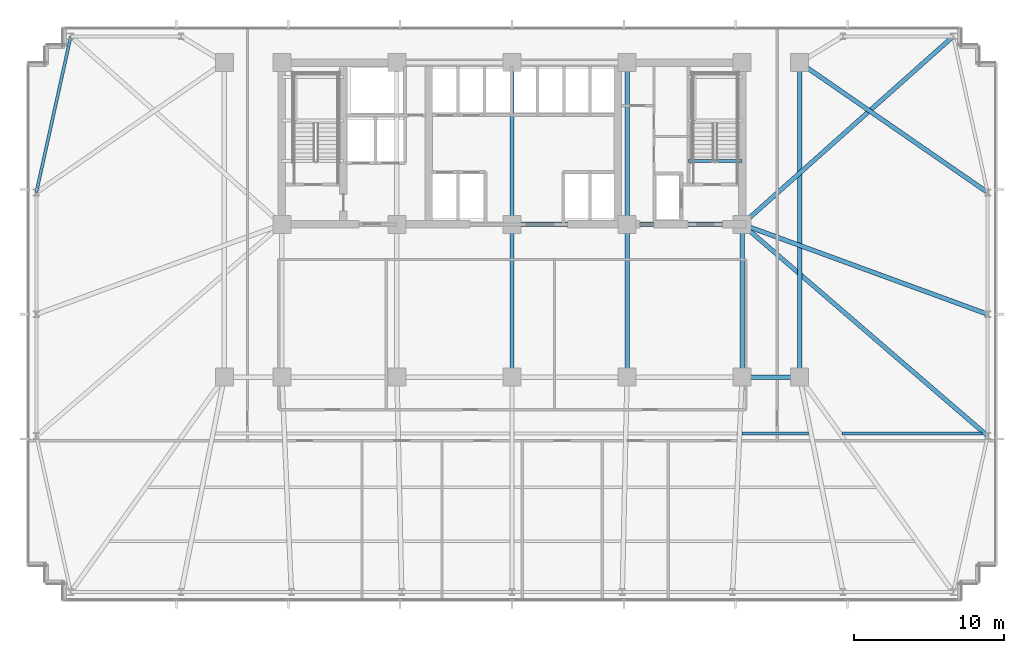
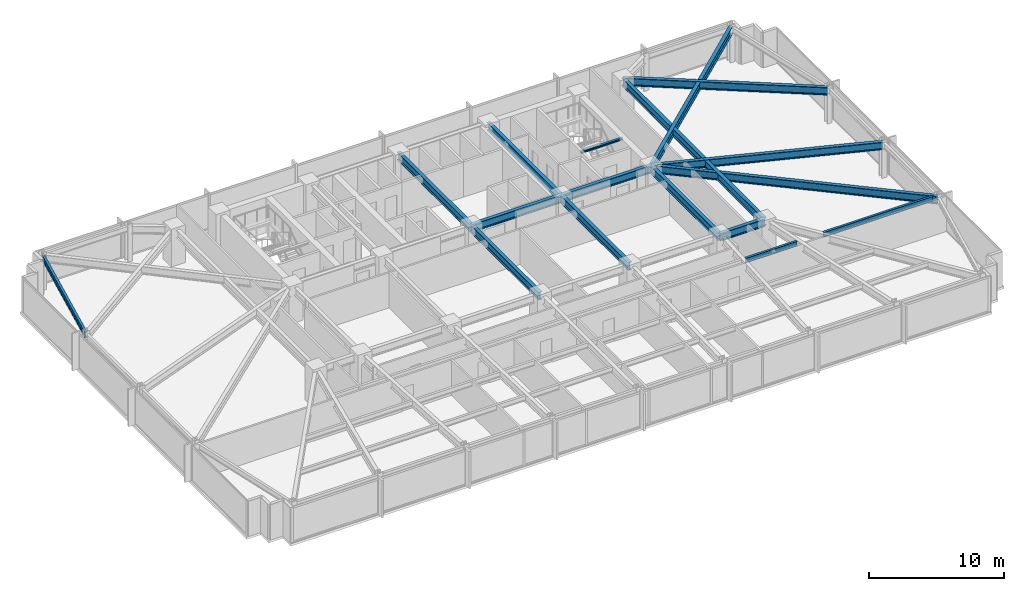
# One storey, part 16 of 32: 17 beams.
"""IFC4 building model written with IfcOpenShell, lengths in metres."""

from ifc_helpers import new_model, si_unit, direction, frame, origin, origin_2d, place, context, subcontext, project, spatial, i_section, extrude, material, material_profile, profile_set, type_object, element, save


model = new_model("IFC4")

# Units and contexts
model_context = context("Model", 3, precision=1e-05, world=origin(), true_north=direction((0.0, 1.0)))
body_context = subcontext(model_context, "Body", "Model", "MODEL_VIEW")
ifc_project = project(units=[si_unit("LENGTHUNIT", "METRE"), si_unit("AREAUNIT", "SQUARE_METRE"), si_unit("VOLUMEUNIT", "CUBIC_METRE"), si_unit("PLANEANGLEUNIT", "RADIAN"), si_unit("MASSUNIT", "GRAM", prefix="KILO")], contexts=[model_context])

# Site, building, storey
site_placement = place(None, origin())
site = spatial("IfcSite", under=ifc_project, at=site_placement, CompositionType="ELEMENT")
building_placement = place(site_placement, origin())
building = spatial("IfcBuilding", under=site, at=building_placement, Name="Yelkora Congress Tower", CompositionType="ELEMENT")
storey_placement = place(building_placement, frame((0.0, 0.0, 44.0)))
storey = spatial("IfcBuildingStorey", under=building, at=storey_placement, Name="L10", CompositionType="ELEMENT", Elevation=44.0)

# Beams
ifc_material = material(Name="Steel S355J2", Category="steel")
ifc_material_profile_1 = material_profile(ifc_material, i_section(OverallWidth=0.300048828125, OverallDepth=0.699951171875, WebThickness=0.01708984375, FlangeThickness=0.031982421875, FilletRadius=0.027099609375, at=origin_2d()), Name="HEB 700")
ifc_profile_set_1 = profile_set([ifc_material_profile_1], Name="Steel S355J2")
beam_type_1 = type_object("IfcBeamType", Name="BM-GIRD-HEB700", PredefinedType="BEAM", material=ifc_profile_set_1)
beam_1_placement = place(storey_placement, frame((53.760009765625, 25.199951171875, 2.830078125), z_axis=(1.0, 0.0, 0.0), x_axis=(0.0, 1.0, 0.0)))
element("IfcBeam", 1, at=beam_1_placement, inside=storey, type_object=beam_type_1, Name="L10 Spine Grid D Girder 6", PredefinedType="BEAM", context=body_context, shape_type="SweptSolid", body=[
    extrude(i_section(OverallWidth=0.300048828125, OverallDepth=0.699951171875, WebThickness=0.01708984375, FlangeThickness=0.031982421875, FilletRadius=0.027099609375, at=origin_2d()), origin(), (0.0, 0.0, 1.0), 3.840087890625),
])
beam_2_placement = place(storey_placement, frame((38.39990234375, 35.39990234375, 2.830078125), z_axis=(1.0, 0.0, 0.0), x_axis=(0.0, 1.0, 0.0)))
element("IfcBeam", 2, at=beam_2_placement, inside=storey, type_object=beam_type_1, Name="L10 Core South Girder 3", PredefinedType="BEAM", context=body_context, shape_type="SweptSolid", body=[
    extrude(i_section(OverallWidth=0.300048828125, OverallDepth=0.699951171875, WebThickness=0.01708984375, FlangeThickness=0.031982421875, FilletRadius=0.027099609375, at=origin_2d()), origin(), (0.0, 0.0, 1.0), 7.68017578125),
])
beam_3_placement = place(storey_placement, frame((46.080078125, 35.39990234375, 2.830078125), z_axis=(1.0, 0.0, 0.0), x_axis=(0.0, 1.0, 0.0)))
element("IfcBeam", 3, at=beam_3_placement, inside=storey, type_object=beam_type_1, Name="L10 Core South Girder 4", PredefinedType="BEAM", context=body_context, shape_type="SweptSolid", body=[
    extrude(i_section(OverallWidth=0.300048828125, OverallDepth=0.699951171875, WebThickness=0.01708984375, FlangeThickness=0.031982421875, FilletRadius=0.027099609375, at=origin_2d()), origin(), (0.0, 0.0, 1.0), 7.679931640625),
])
beam_4_placement = place(storey_placement, frame((38.39990234375, 25.199951171875, 2.830078125), z_axis=(0.0, 1.0, 0.0), x_axis=(-1.0, 0.0, 0.0)))
element("IfcBeam", 4, at=beam_4_placement, inside=storey, type_object=beam_type_1, Name="L10 Core Tie Girder MC-D3", PredefinedType="BEAM", context=body_context, shape_type="SweptSolid", body=[
    extrude(i_section(OverallWidth=0.300048828125, OverallDepth=0.699951171875, WebThickness=0.01708984375, FlangeThickness=0.031982421875, FilletRadius=0.027099609375, at=origin_2d()), origin(), (0.0, 0.0, 1.0), 10.199951171875),
])
beam_5_placement = place(storey_placement, frame((38.39990234375, 35.39990234375, 2.830078125), z_axis=(0.0, 1.0, 0.0), x_axis=(-1.0, 0.0, 0.0)))
element("IfcBeam", 5, at=beam_5_placement, inside=storey, type_object=beam_type_1, Name="L10 Core Tie Girder MC-S3", PredefinedType="BEAM", context=body_context, shape_type="SweptSolid", body=[
    extrude(i_section(OverallWidth=0.300048828125, OverallDepth=0.699951171875, WebThickness=0.01708984375, FlangeThickness=0.031982421875, FilletRadius=0.027099609375, at=origin_2d()), origin(), (0.0, 0.0, 1.0), 10.800048828125),
])
beam_6_placement = place(storey_placement, frame((46.080078125, 25.199951171875, 2.830078125), z_axis=(0.0, 1.0, 0.0), x_axis=(-1.0, 0.0, 0.0)))
element("IfcBeam", 6, at=beam_6_placement, inside=storey, type_object=beam_type_1, Name="L10 Core Tie Girder MC-D4", PredefinedType="BEAM", context=body_context, shape_type="SweptSolid", body=[
    extrude(i_section(OverallWidth=0.300048828125, OverallDepth=0.699951171875, WebThickness=0.01708984375, FlangeThickness=0.031982421875, FilletRadius=0.027099609375, at=origin_2d()), origin(), (0.0, 0.0, 1.0), 10.199951171875),
])
beam_7_placement = place(storey_placement, frame((46.080078125, 35.39990234375, 2.830078125), z_axis=(0.0, 1.0, 0.0), x_axis=(-1.0, 0.0, 0.0)))
element("IfcBeam", 7, at=beam_7_placement, inside=storey, type_object=beam_type_1, Name="L10 Core Tie Girder MC-S4", PredefinedType="BEAM", context=body_context, shape_type="SweptSolid", body=[
    extrude(i_section(OverallWidth=0.300048828125, OverallDepth=0.699951171875, WebThickness=0.01708984375, FlangeThickness=0.031982421875, FilletRadius=0.027099609375, at=origin_2d()), origin(), (0.0, 0.0, 1.0), 10.800048828125),
])
beam_8_placement = place(storey_placement, frame((53.760009765625, 25.199951171875, 2.830078125), z_axis=(0.0, 1.0, 0.0), x_axis=(-1.0, 0.0, 0.0)))
element("IfcBeam", 8, at=beam_8_placement, inside=storey, type_object=beam_type_1, Name="L10 Core Tie Girder MC-D5", PredefinedType="BEAM", context=body_context, shape_type="SweptSolid", body=[
    extrude(i_section(OverallWidth=0.300048828125, OverallDepth=0.699951171875, WebThickness=0.01708984375, FlangeThickness=0.031982421875, FilletRadius=0.027099609375, at=origin_2d()), origin(), (0.0, 0.0, 1.0), 10.199951171875),
])
beam_9_placement = place(storey_placement, frame((57.60009765625, 25.199951171875, 2.830078125), z_axis=(0.0, 1.0, 0.0), x_axis=(-1.0, 0.0, 0.0)))
element("IfcBeam", 9, at=beam_9_placement, inside=storey, type_object=beam_type_1, Name="L10 Neck Flank Girder MC-F2", PredefinedType="BEAM", context=body_context, shape_type="SweptSolid", body=[
    extrude(i_section(OverallWidth=0.300048828125, OverallDepth=0.699951171875, WebThickness=0.01708984375, FlangeThickness=0.031982421875, FilletRadius=0.027099609375, at=origin_2d()), origin(), (0.0, 0.0, 1.0), 21.0),
])
beam_10_placement = place(storey_placement, frame((67.85009765625, 47.949951171875, 2.830078125), z_axis=(-0.746737189621, -0.665119214605, 0.0), x_axis=(0.665119214605, -0.746737189621, 0.0)))
element("IfcBeam", 10, at=beam_10_placement, inside=storey, type_object=beam_type_1, Name="L10 Primary Frame Girder N09", PredefinedType="BEAM", context=body_context, shape_type="SweptSolid", body=[
    extrude(i_section(OverallWidth=0.300048828125, OverallDepth=0.699951171875, WebThickness=0.01708984375, FlangeThickness=0.031982421875, FilletRadius=0.027099609375, at=origin_2d()), origin(), (0.0, 0.0, 1.0), 18.868896484375),
])
beam_11_placement = place(storey_placement, frame((70.14990234375, 21.27490234375, 2.830078125), z_axis=(-0.757506357109, 0.652827786586, 0.0), x_axis=(-0.652827786586, -0.757506357109, 0.0)))
element("IfcBeam", 11, at=beam_11_placement, inside=storey, type_object=beam_type_1, Name="L10 Primary Frame Girder E01", PredefinedType="BEAM", context=body_context, shape_type="SweptSolid", body=[
    extrude(i_section(OverallWidth=0.300048828125, OverallDepth=0.699951171875, WebThickness=0.01708984375, FlangeThickness=0.031982421875, FilletRadius=0.027099609375, at=origin_2d()), origin(), (0.0, 0.0, 1.0), 21.63671875),
])
beam_12_placement = place(storey_placement, frame((70.14990234375, 29.39990234375, 2.830078125), z_axis=(-0.939054471542, 0.343768380567, 0.0), x_axis=(-0.343768380567, -0.939054471542, 0.0)))
element("IfcBeam", 12, at=beam_12_placement, inside=storey, type_object=beam_type_1, Name="L10 Primary Frame Girder E02", PredefinedType="BEAM", context=body_context, shape_type="SweptSolid", body=[
    extrude(i_section(OverallWidth=0.300048828125, OverallDepth=0.699951171875, WebThickness=0.01708984375, FlangeThickness=0.031982421875, FilletRadius=0.027099609375, at=origin_2d()), origin(), (0.0, 0.0, 1.0), 17.45361328125),
])
beam_13_placement = place(storey_placement, frame((70.14990234375, 37.52490234375, 2.830078125), z_axis=(-0.822599280139, 0.568621512357, 0.0), x_axis=(-0.568621512357, -0.822599280139, 0.0)))
element("IfcBeam", 13, at=beam_13_placement, inside=storey, type_object=beam_type_1, Name="L10 Primary Frame Girder E03", PredefinedType="BEAM", context=body_context, shape_type="SweptSolid", body=[
    extrude(i_section(OverallWidth=0.300048828125, OverallDepth=0.699951171875, WebThickness=0.01708984375, FlangeThickness=0.031982421875, FilletRadius=0.027099609375, at=origin_2d()), origin(), (0.0, 0.0, 1.0), 15.25634765625),
])
ifc_material_profile_2 = material_profile(ifc_material, i_section(OverallWidth=0.18994140625, OverallDepth=0.449951171875, WebThickness=0.009521484375, FlangeThickness=0.0146484375, FilletRadius=0.02099609375, at=origin_2d()), Name="IPE 450")
ifc_profile_set_2 = profile_set([ifc_material_profile_2], Name="Steel S355J2")
beam_type_2 = type_object("IfcBeamType", Name="BM-JOIST-IPE450", PredefinedType="JOIST", material=ifc_profile_set_2)
beam_14_placement = place(storey_placement, frame((53.754150390625, 21.449951171875, 2.955078125), z_axis=(1.0, 0.0, 0.0), x_axis=(0.0, 1.0, 0.0)))
element("IfcBeam", 14, at=beam_14_placement, inside=storey, type_object=beam_type_2, Name="L10 Composite Floor Joist 22", PredefinedType="JOIST", context=body_context, shape_type="SweptSolid", body=[
    extrude(i_section(OverallWidth=0.18994140625, OverallDepth=0.449951171875, WebThickness=0.009521484375, FlangeThickness=0.0146484375, FilletRadius=0.02099609375, at=origin_2d()), origin(), (0.0, 0.0, 1.0), 4.4404296875),
])
beam_15_placement = place(storey_placement, frame((60.438720703125, 21.449951171875, 2.955078125), z_axis=(1.0, 0.0, 0.0), x_axis=(0.0, 1.0, 0.0)))
element("IfcBeam", 15, at=beam_15_placement, inside=storey, type_object=beam_type_2, Name="L10 Composite Floor Joist 23", PredefinedType="JOIST", context=body_context, shape_type="SweptSolid", body=[
    extrude(i_section(OverallWidth=0.18994140625, OverallDepth=0.449951171875, WebThickness=0.009521484375, FlangeThickness=0.0146484375, FilletRadius=0.02099609375, at=origin_2d()), origin(), (0.0, 0.0, 1.0), 9.34814453125),
])
ifc_material_profile_3 = material_profile(ifc_material, i_section(OverallWidth=0.199951171875, OverallDepth=0.18994140625, WebThickness=0.006591796875, FlangeThickness=0.010009765625, FilletRadius=0.01806640625, at=origin_2d()), Name="HEA 200")
ifc_profile_set_3 = profile_set([ifc_material_profile_3], Name="Steel S355J2")
beam_type_3 = type_object("IfcBeamType", Name="BM-LAND-HEA200", PredefinedType="BEAM", material=ifc_profile_set_3)
beam_16_placement = place(storey_placement, frame((50.179931640625, 39.639892578125, 2.947509765625), z_axis=(1.0, 0.0, 0.0), x_axis=(0.0, 1.0, 0.0)))
element("IfcBeam", 16, at=beam_16_placement, inside=storey, type_object=beam_type_3, Name="ST-02 L10 Floor Arrival Stringer Header Beam", PredefinedType="BEAM", context=body_context, shape_type="SweptSolid", body=[
    extrude(i_section(OverallWidth=0.199951171875, OverallDepth=0.18994140625, WebThickness=0.006591796875, FlangeThickness=0.010009765625, FilletRadius=0.01806640625, at=origin_2d()), origin(), (0.0, 0.0, 1.0), 3.580078125),
])
ifc_material_profile_4 = material_profile(ifc_material, i_section(OverallWidth=0.199951171875, OverallDepth=0.5, WebThickness=0.01025390625, FlangeThickness=0.01611328125, FilletRadius=0.02099609375, at=origin_2d()), Name="IPE 500")
ifc_profile_set_4 = profile_set([ifc_material_profile_4], Name="Steel S355J2")
beam_type_4 = type_object("IfcBeamType", Name="BM-SPAN-IPE500", PredefinedType="SPANDREL", material=ifc_profile_set_4)
beam_17_placement = place(storey_placement, frame((8.949951171875, 47.949951171875, 2.929931640625), z_axis=(-0.215445894778, -0.976515778891, 0.0), x_axis=(0.976515778891, -0.215445894778, 0.0)))
element("IfcBeam", 17, at=beam_17_placement, inside=storey, type_object=beam_type_4, Name="L10 Perimeter Beam 17", PredefinedType="SPANDREL", context=body_context, shape_type="SweptSolid", body=[
    extrude(i_section(OverallWidth=0.199951171875, OverallDepth=0.5, WebThickness=0.01025390625, FlangeThickness=0.01611328125, FilletRadius=0.02099609375, at=origin_2d()), origin(), (0.0, 0.0, 1.0), 10.67578125),
])

save(model, "model.ifc")
